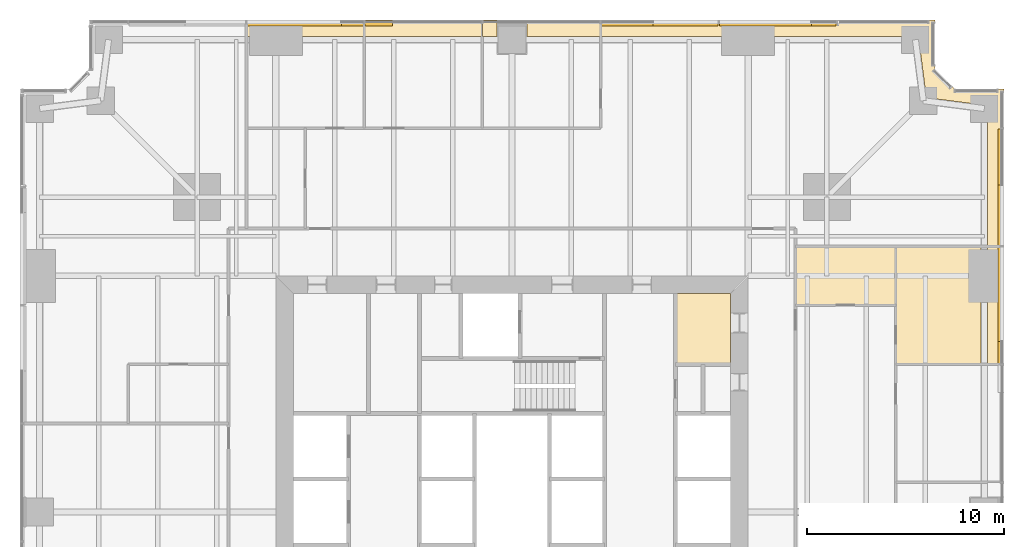
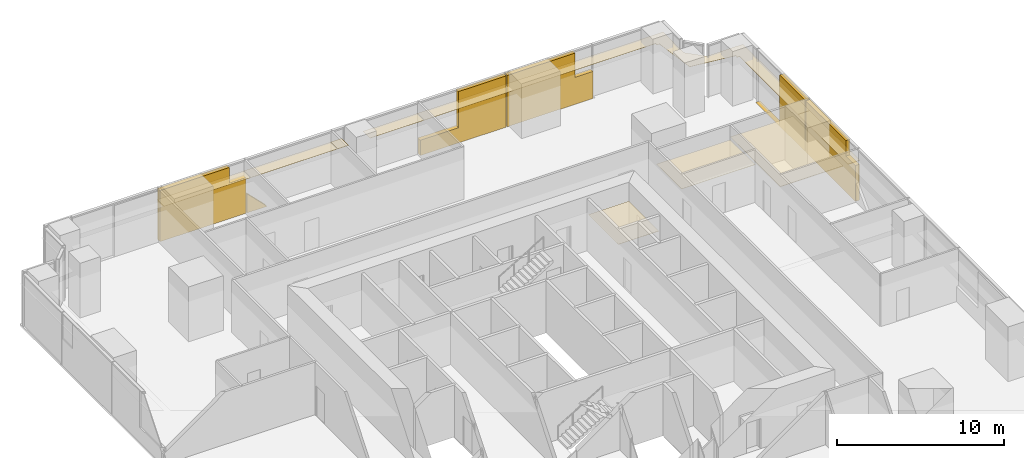
# One storey, part 14 of 16: 15 coverings.
"""IFC4 building model written with IfcOpenShell, lengths in metres."""

from ifc_helpers import new_model, si_unit, direction, frame, origin, place, context, subcontext, project, spatial, polyline, outline, extrude, material, layer, layer_set, type_object, element, save


model = new_model("IFC4")

# Units and contexts
model_context = context("Model", 3, precision=1e-05, world=origin(), true_north=direction((0.0, 1.0)))
body_context = subcontext(model_context, "Body", "Model", "MODEL_VIEW")
ifc_project = project(units=[si_unit("LENGTHUNIT", "METRE"), si_unit("AREAUNIT", "SQUARE_METRE"), si_unit("VOLUMEUNIT", "CUBIC_METRE"), si_unit("PLANEANGLEUNIT", "RADIAN"), si_unit("MASSUNIT", "GRAM", prefix="KILO")], contexts=[model_context])

# Site, building, storey
site_placement = place(None, origin())
site = spatial("IfcSite", under=ifc_project, at=site_placement, CompositionType="ELEMENT")
building_placement = place(site_placement, origin())
building = spatial("IfcBuilding", under=site, at=building_placement, Name="Fenwick Lantern Interchange", CompositionType="ELEMENT")
storey_placement = place(building_placement, frame((0.0, 0.0, 75.0)))
storey = spatial("IfcBuildingStorey", under=building, at=storey_placement, Name="L17", CompositionType="ELEMENT", Elevation=75.0)

# Coverings
ifc_material_1 = material(Name="Mineral fibre acoustic tile on suspended grid")
ifc_layer_1 = layer(ifc_material_1, 0.02001953125)
ifc_layer_set_1 = layer_set([ifc_layer_1], Name="ACOUSTIC TILE CEILING 20")
covering_type_1 = type_object("IfcCoveringType", Name="ACOUSTIC TILE CEILING 20", PredefinedType="CEILING", material=ifc_layer_set_1)
covering_1_placement = place(storey_placement, frame((0.0, 0.0, 2.89990234375)))
element("IfcCovering", 1, at=covering_1_placement, inside=storey, type_object=covering_type_1, Name="Office ceiling", PredefinedType="CEILING", context=body_context, shape_type="SweptSolid", body=[
    extrude(outline(polyline([(44.5, 32.5), (48.82763671875, 32.5), (48.82763671875, 37.0), (48.82763671875, 38.5), (44.5, 38.5), (44.5, 32.5)])), origin(), (0.0, 0.0, 1.0), 0.02001953125),
])
covering_2_placement = place(storey_placement, frame((0.0, 0.0, 2.89990234375)))
element("IfcCovering", 2, at=covering_2_placement, inside=storey, type_object=covering_type_1, Name="Office ceiling", PredefinedType="CEILING", context=body_context, shape_type="SweptSolid", body=[
    extrude(outline(polyline([(50.0, 38.5), (49.17236328125, 38.5), (49.17236328125, 37.0), (49.17236328125, 32.5), (50.0, 32.5), (50.0, 38.5)])), origin(), (0.0, 0.0, 1.0), 0.02001953125),
])
covering_3_placement = place(storey_placement, frame((0.0, 0.0, 2.89990234375)))
element("IfcCovering", 3, at=covering_3_placement, inside=storey, type_object=covering_type_1, Name="Office suite ceiling", PredefinedType="CEILING", context=body_context, shape_type="SweptSolid", body=[
    extrude(outline(polyline([(46.5, 50.0), (29.5, 50.0), (29.5, 49.17236328125), (37.0, 49.17236328125), (45.5, 49.17236328125), (45.5, 49.0), (45.6708984375, 49.02197265625), (46.053955078125, 46.053955078125), (49.02197265625, 45.6708984375), (49.0, 45.5), (49.17236328125, 45.5), (49.17236328125, 38.5), (50.0, 38.5), (50.0, 46.5), (47.5, 46.5), (46.5, 47.5), (46.5, 50.0)])), origin(), (0.0, 0.0, 1.0), 0.02001953125),
])
covering_4_placement = place(storey_placement, frame((0.0, 0.0, 2.89990234375)))
element("IfcCovering", 4, at=covering_4_placement, inside=storey, type_object=covering_type_1, Name="Office ceiling", PredefinedType="CEILING", context=body_context, shape_type="SweptSolid", body=[
    extrude(outline(polyline([(29.5, 49.17236328125), (29.5, 50.0), (25.75, 50.0), (25.75, 49.17236328125), (29.5, 49.17236328125)])), origin(), (0.0, 0.0, 1.0), 0.02001953125),
])
covering_5_placement = place(storey_placement, frame((0.0, 0.0, 2.89990234375)))
element("IfcCovering", 5, at=covering_5_placement, inside=storey, type_object=covering_type_1, Name="Office ceiling", PredefinedType="CEILING", context=body_context, shape_type="SweptSolid", body=[
    extrude(outline(polyline([(23.5, 50.0), (23.5, 49.17236328125), (24.25, 49.17236328125), (24.25, 50.0), (23.5, 50.0)])), origin(), (0.0, 0.0, 1.0), 0.02001953125),
])
covering_6_placement = place(storey_placement, frame((0.0, 0.0, 2.89990234375)))
element("IfcCovering", 6, at=covering_6_placement, inside=storey, type_object=covering_type_1, Name="Meeting room ceiling", PredefinedType="CEILING", context=body_context, shape_type="SweptSolid", body=[
    extrude(outline(polyline([(17.5, 50.0), (17.5, 49.17236328125), (23.5, 49.17236328125), (23.5, 50.0), (17.5, 50.0)])), origin(), (0.0, 0.0, 1.0), 0.02001953125),
])
covering_7_placement = place(storey_placement, frame((0.0, 0.0, 2.89990234375)))
element("IfcCovering", 7, at=covering_7_placement, inside=storey, type_object=covering_type_1, Name="Office ceiling", PredefinedType="CEILING", context=body_context, shape_type="SweptSolid", body=[
    extrude(outline(polyline([(11.5, 50.0), (11.5, 49.17236328125), (13.0, 49.17236328125), (17.5, 49.17236328125), (17.5, 50.0), (11.5, 50.0)])), origin(), (0.0, 0.0, 1.0), 0.02001953125),
])
ifc_material_2 = material(Name="Granite cladding, warm grey flamed finish, on aluminium carrier frame", Category="masonry")
ifc_layer_2 = layer(ifc_material_2, 0.300048828125)
ifc_layer_set_2 = layer_set([ifc_layer_2], Name="BRACE CASING PANEL 300")
covering_type_2 = type_object("IfcCoveringType", Name="BRACE CASING PANEL 300", PredefinedType="CLADDING", material=ifc_layer_set_2)
covering_8_placement = place(storey_placement, frame((49.89990234375, 3.60009765625, 0.0), z_axis=(0.0, 0.0, 1.0), x_axis=(0.0, 1.0, 0.0)))
element("IfcCovering", 8, at=covering_8_placement, inside=storey, type_object=covering_type_2, Name="Brace casing 05 bay 05a", PredefinedType="CLADDING", context=body_context, shape_type="SweptSolid", body=[
    extrude(outline(polyline([(28.9326171875, 0.0), (34.867431640625, 0.0), (34.867431640625, 3.75), (30.072509765625, 3.75), (30.072509765625, 2.612060546875), (28.9326171875, 2.612060546875), (28.9326171875, 0.0)])), frame((0.0, 0.2001953125, 0.0), z_axis=(0.0, -1.0, 0.0), x_axis=(1.0, 0.0, 0.0)), (0.0, 0.0, 1.0), 0.300048828125),
])
covering_9_placement = place(storey_placement, frame((49.89990234375, 3.60009765625, 0.0), z_axis=(0.0, 0.0, 1.0), x_axis=(0.0, 1.0, 0.0)))
element("IfcCovering", 9, at=covering_9_placement, inside=storey, type_object=covering_type_2, Name="Brace casing 05 bay 06a", PredefinedType="CLADDING", context=body_context, shape_type="SweptSolid", body=[
    extrude(outline(polyline([(34.9326171875, 0.0), (40.867431640625, 0.0), (40.867431640625, 0.006103515625), (38.005615234375, 0.006103515625), (38.005615234375, 3.75), (34.9326171875, 3.75), (34.9326171875, 0.0)])), frame((0.0, 0.2001953125, 0.0), z_axis=(0.0, -1.0, 0.0), x_axis=(1.0, 0.0, 0.0)), (0.0, 0.0, 1.0), 0.300048828125),
])
covering_10_placement = place(storey_placement, frame((46.39990234375, 49.89990234375, 0.0), z_axis=(0.0, 0.0, 1.0), x_axis=(-1.0, 0.0, 0.0)))
element("IfcCovering", 10, at=covering_10_placement, inside=storey, type_object=covering_type_2, Name="Brace casing 09 bay 01a", PredefinedType="CLADDING", context=body_context, shape_type="SweptSolid", body=[
    extrude(outline(polyline([(4.9326171875, 0.0), (10.867431640625, 0.0), (10.867431640625, 3.75), (6.1875, 3.75), (6.1875, 1.972900390625), (4.9326171875, 1.972900390625), (4.9326171875, 0.0)])), frame((0.0, 0.2001953125, 0.0), z_axis=(0.0, -1.0, 0.0), x_axis=(1.0, 0.0, 0.0)), (0.0, 0.0, 1.0), 0.300048828125),
])
covering_11_placement = place(storey_placement, frame((46.39990234375, 49.89990234375, 0.0), z_axis=(0.0, 0.0, 1.0), x_axis=(-1.0, 0.0, 0.0)))
element("IfcCovering", 11, at=covering_11_placement, inside=storey, type_object=covering_type_2, Name="Brace casing 09 bay 02a", PredefinedType="CLADDING", context=body_context, shape_type="SweptSolid", body=[
    extrude(outline(polyline([(10.9326171875, 0.0), (16.867431640625, 0.0), (16.867431640625, 1.11279296875), (14.226806640625, 1.11279296875), (14.226806640625, 3.75), (10.9326171875, 3.75), (10.9326171875, 0.0)])), frame((0.0, 0.2001953125, 0.0), z_axis=(0.0, -1.0, 0.0), x_axis=(1.0, 0.0, 0.0)), (0.0, 0.0, 1.0), 0.300048828125),
])
covering_12_placement = place(storey_placement, frame((46.39990234375, 49.89990234375, 0.0), z_axis=(0.0, 0.0, 1.0), x_axis=(-1.0, 0.0, 0.0)))
element("IfcCovering", 12, at=covering_12_placement, inside=storey, type_object=covering_type_2, Name="Brace casing 09 bay 04a", PredefinedType="CLADDING", context=body_context, shape_type="SweptSolid", body=[
    extrude(outline(polyline([(27.46044921875, 0.0), (28.867431640625, 0.0), (28.867431640625, 1.406982421875), (27.46044921875, 0.0)])), frame((0.0, 0.2001953125, 0.0), z_axis=(0.0, -1.0, 0.0), x_axis=(1.0, 0.0, 0.0)), (0.0, 0.0, 1.0), 0.300048828125),
])
covering_13_placement = place(storey_placement, frame((46.39990234375, 49.89990234375, 0.0), z_axis=(0.0, 0.0, 1.0), x_axis=(-1.0, 0.0, 0.0)))
element("IfcCovering", 13, at=covering_13_placement, inside=storey, type_object=covering_type_2, Name="Brace casing 09 bay 05a", PredefinedType="CLADDING", context=body_context, shape_type="SweptSolid", body=[
    extrude(outline(polyline([(28.9326171875, 0.0), (34.867431640625, 0.0), (34.867431640625, 3.75), (30.072509765625, 3.75), (30.072509765625, 2.612060546875), (28.9326171875, 2.612060546875), (28.9326171875, 0.0)])), frame((0.0, 0.2001953125, 0.0), z_axis=(0.0, -1.0, 0.0), x_axis=(1.0, 0.0, 0.0)), (0.0, 0.0, 1.0), 0.300048828125),
])
ifc_material_3 = material(Name="Moisture resistant gypsum board on suspended frame, painted")
ifc_layer_3 = layer(ifc_material_3, 0.014892578125)
ifc_layer_set_3 = layer_set([ifc_layer_3], Name="MOISTURE RESISTANT CEILING 15")
covering_type_3 = type_object("IfcCoveringType", Name="MOISTURE RESISTANT CEILING 15", PredefinedType="CEILING", material=ifc_layer_set_3)
covering_14_placement = place(storey_placement, frame((0.0, 0.0, 2.60009765625)))
element("IfcCovering", 14, at=covering_14_placement, inside=storey, type_object=covering_type_3, Name="Accessible WC and shower ceiling", PredefinedType="CEILING", context=body_context, shape_type="SweptSolid", body=[
    extrude(outline(polyline([(36.10009765625, 36.10009765625), (33.300048828125, 36.10009765625), (33.300048828125, 32.5), (36.10009765625, 32.5), (36.10009765625, 36.10009765625)])), origin(), (0.0, 0.0, 1.0), 0.014892578125),
])
covering_15_placement = place(storey_placement, frame((0.0, 0.0, 2.699951171875)))
element("IfcCovering", 15, at=covering_15_placement, inside=storey, type_object=covering_type_3, Name="Pantry ceiling", PredefinedType="CEILING", context=body_context, shape_type="SweptSolid", body=[
    extrude(outline(polyline([(44.5, 35.5), (44.5, 38.5), (39.39990234375, 38.5), (39.39990234375, 35.5), (44.5, 35.5)])), origin(), (0.0, 0.0, 1.0), 0.01513671875),
])

save(model, "model.ifc")
